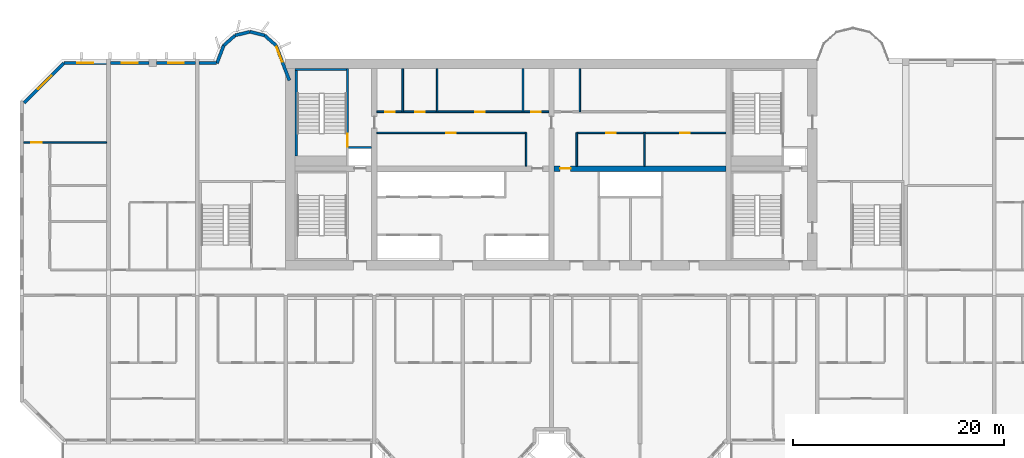
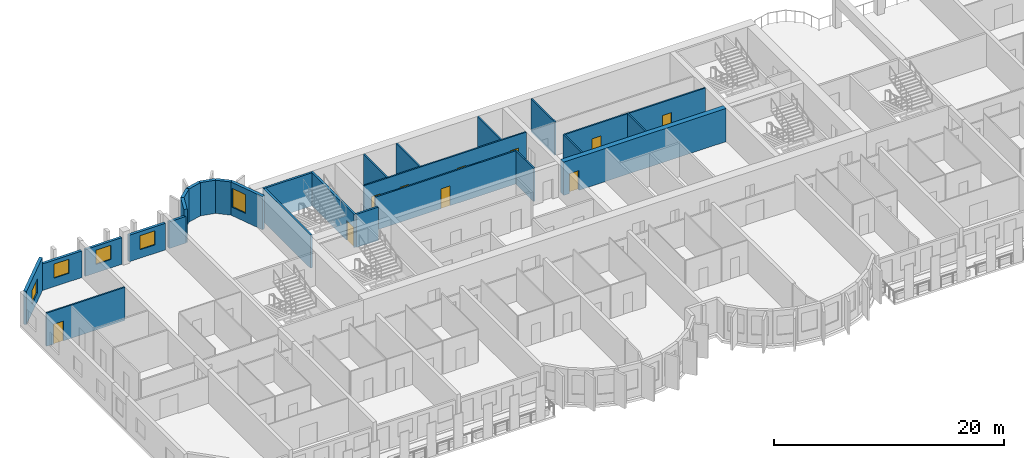
# One storey, part 7 of 14: 27 walls, 10 doors, 5 windows, 15 openings.
"""IFC4 building model written with IfcOpenShell, lengths in metres."""

from ifc_helpers import new_model, si_unit, direction, frame, frame_2d, origin, place, context, subcontext, project, spatial, rectangle, extrude, source, transform, mapped, material, layer, layer_set, type_object, element, fill, save


model = new_model("IFC4")

# Units and contexts
model_context = context("Model", 3, precision=1e-05, world=origin(), true_north=direction((0.0, 1.0)))
body_context = subcontext(model_context, "Body", "Model", "MODEL_VIEW")
ifc_project = project(units=[si_unit("LENGTHUNIT", "METRE"), si_unit("AREAUNIT", "SQUARE_METRE"), si_unit("VOLUMEUNIT", "CUBIC_METRE"), si_unit("PLANEANGLEUNIT", "RADIAN"), si_unit("MASSUNIT", "GRAM", prefix="KILO")], contexts=[model_context])

# Site, building, storey
site_placement = place(None, origin())
site = spatial("IfcSite", under=ifc_project, at=site_placement, CompositionType="ELEMENT")
building_placement = place(site_placement, origin())
building = spatial("IfcBuilding", under=site, at=building_placement, Name="Vanashikhar Sky Hotel", CompositionType="ELEMENT")
storey_placement = place(building_placement, frame((0.0, 0.0, 121.800048828125)))
storey = spatial("IfcBuildingStorey", under=building, at=storey_placement, Name="L29", CompositionType="ELEMENT", Elevation=121.800048828125)

# Wall, opening, door
ifc_material_1 = material(Name="Concrete M70", Category="concrete")
ifc_layer_1 = layer(ifc_material_1, 0.5)
ifc_layer_set_1 = layer_set([ifc_layer_1], Name="RC core inner wall 500 Concrete M70")
wall_type_1 = type_object("IfcWallType", Name="RC core inner wall 500 Concrete M70", PredefinedType="SHEAR", material=ifc_layer_set_1)
shared_shape_1 = source(origin(), body_context, "Body", "SweptSolid", [
    extrude(rectangle(XDim=16.300048828125, YDim=0.5, at=frame_2d((8.14990234375, 0.0))), origin(), (0.0, 0.0, 1.0), 3.52001953125),
])
wall_1_placement = place(storey_placement, frame((50.64990234375, 31.60009765625, 0.0), z_axis=(0.0, 0.0, 1.0), x_axis=(1.0, 0.0, 0.0)))
wall_1 = element("IfcWall", 1, at=wall_1_placement, inside=storey, type_object=wall_type_1, Name="KW-L29-KY3", PredefinedType="SHEAR", context=body_context, shape_type="MappedRepresentation", body=[
    mapped(shared_shape_1, transform((0.0, 0.0, 0.0), scale=1.0)),
])
shared_shape_2 = source(origin(), body_context, "Body", "SweptSolid", [
    extrude(rectangle(XDim=1.0, YDim=2.10009765625, at=frame_2d((0.5, 1.050048828125))), frame((0.0, 0.260009765625, 0.0), z_axis=(0.0, -1.0, 0.0), x_axis=(1.0, 0.0, 0.0)), (0.0, 0.0, 1.0), 0.52001953125),
])
opening_1_placement = place(wall_1_placement, frame((0.574951171875, 0.0, 0.0)))
opening_1 = element("IfcOpeningElement", 2, at=opening_1_placement, cuts=wall_1, Name="Opening DC-4", PredefinedType="OPENING", context=body_context, shape_type="MappedRepresentation", body=[
    mapped(shared_shape_2, transform((0.0, 0.0, 0.0), scale=1.0)),
])
ifc_material_2 = material(Name="Steel", Category="steel")
door_type_1 = type_object("IfcDoorType", Name="Service door 1000 FD60", OperationType="NOTDEFINED", PredefinedType="DOOR", material=ifc_material_2)
shared_shape_3 = source(origin(), body_context, "Body", "SweptSolid", [
    extrude(rectangle(XDim=1.0, YDim=2.10009765625, at=frame_2d((0.5, 1.050048828125))), frame((0.0, 0.02490234375, 0.0), z_axis=(0.0, -1.0, 0.0), x_axis=(1.0, 0.0, 0.0)), (0.0, 0.0, 1.0), 0.050048828125),
])
door_1_placement = place(opening_1_placement, origin())
door_1 = element("IfcDoor", 3, at=door_1_placement, inside=storey, type_object=door_type_1, Name="Service door 1000 FD60", OperationType="SINGLE_SWING_RIGHT", OverallHeight=2.10009765625, OverallWidth=1.0, PredefinedType="DOOR", context=body_context, shape_type="MappedRepresentation", body=[
    mapped(shared_shape_3, transform((0.0, 0.0, 0.0), scale=1.0)),
])
fill(opening_1, door_1)

# Wall, opening, window
ifc_material_3 = material(Name="Concrete M50", Category="concrete")
ifc_layer_2 = layer(ifc_material_3, 0.300048828125)
ifc_layer_set_2 = layer_set([ifc_layer_2], Name="Lobe wall 300")
wall_type_2 = type_object("IfcWallType", Name="Lobe wall 300", PredefinedType="SOLIDWALL", material=ifc_layer_set_2)
shared_shape_4 = source(origin(), body_context, "Body", "SweptSolid", [
    extrude(rectangle(XDim=5.32568359375, YDim=0.300048828125, at=frame_2d((2.662841796875, 0.0))), origin(), (0.0, 0.0, 1.0), 3.52001953125),
])
wall_2_placement = place(storey_placement, frame((4.165771484375, 41.60009765625, 0.0), z_axis=(0.0, 0.0, 1.0), x_axis=(-0.707106781187, -0.707106781187, 0.0)))
wall_2 = element("IfcWall", 4, at=wall_2_placement, inside=storey, type_object=wall_type_2, Name="Corner wall", PredefinedType="SOLIDWALL", context=body_context, shape_type="MappedRepresentation", body=[
    mapped(shared_shape_4, transform((0.0, 0.0, 0.0), scale=1.0)),
])
shared_shape_5 = source(origin(), body_context, "Body", "SweptSolid", [
    extrude(rectangle(XDim=1.800048828125, YDim=1.5, at=frame_2d((0.89990234375, 0.75))), frame((0.0, 0.16015625, 0.0), z_axis=(0.0, -1.0, 0.0), x_axis=(1.0, 0.0, 0.0)), (0.0, 0.0, 1.0), 0.320068359375),
])
opening_2_placement = place(wall_2_placement, frame((1.671875, 0.0, 0.89990234375)))
opening_2 = element("IfcOpeningElement", 5, at=opening_2_placement, cuts=wall_2, Name="Opening WN-4", PredefinedType="OPENING", context=body_context, shape_type="MappedRepresentation", body=[
    mapped(shared_shape_5, transform((0.0, 0.0, 0.0), scale=1.0)),
])
ifc_material_4 = material(Name="Glass", Category="glass")
window_type_1 = type_object("IfcWindowType", Name="Corner window 1800 x 1500", PartitioningType="SINGLE_PANEL", PredefinedType="WINDOW", material=ifc_material_4)
shared_shape_6 = source(origin(), body_context, "Body", "SweptSolid", [
    extrude(rectangle(XDim=1.800048828125, YDim=1.5, at=frame_2d((0.89990234375, 0.75))), frame((0.0, 0.030029296875, 0.0), z_axis=(0.0, -1.0, 0.0), x_axis=(1.0, 0.0, 0.0)), (0.0, 0.0, 1.0), 0.06005859375),
])
window_1_placement = place(opening_2_placement, origin())
window_1 = element("IfcWindow", 6, at=window_1_placement, inside=storey, type_object=window_type_1, Name="Window WN-4", OverallHeight=1.5, OverallWidth=1.800048828125, PartitioningType="SINGLE_PANEL", PredefinedType="WINDOW", context=body_context, shape_type="MappedRepresentation", body=[
    mapped(shared_shape_6, transform((0.0, 0.0, 0.0), scale=1.0)),
])
fill(opening_2, window_1)

shared_shape_7 = source(origin(), body_context, "Body", "SweptSolid", [
    extrude(rectangle(XDim=3.55908203125, YDim=0.300048828125, at=frame_2d((1.779541015625, 0.0))), origin(), (0.0, 0.0, 1.0), 3.52001953125),
])
wall_3_placement = place(storey_placement, frame((25.550048828125, 39.968505859375, 0.0), z_axis=(0.0, 0.0, 1.0), x_axis=(-0.35779745313, 0.933799219604, 0.0)))
wall_3 = element("IfcWall", 7, at=wall_3_placement, inside=storey, type_object=wall_type_2, Name="Lobe wall", PredefinedType="SOLIDWALL", context=body_context, shape_type="MappedRepresentation", body=[
    mapped(shared_shape_7, transform((0.0, 0.0, 0.0), scale=1.0)),
])
shared_shape_8 = source(origin(), body_context, "Body", "SweptSolid", [
    extrude(rectangle(XDim=1.5, YDim=2.0, at=frame_2d((0.75, 1.0))), frame((0.0, 0.16015625, 0.0), z_axis=(0.0, -1.0, 0.0), x_axis=(1.0, 0.0, 0.0)), (0.0, 0.0, 1.0), 0.320068359375),
])
opening_3_placement = place(wall_3_placement, frame((1.9033203125, 0.0, 0.89990234375)))
opening_3 = element("IfcOpeningElement", 8, at=opening_3_placement, cuts=wall_3, Name="Opening WN-2", PredefinedType="OPENING", context=body_context, shape_type="MappedRepresentation", body=[
    mapped(shared_shape_8, transform((0.0, 0.0, 0.0), scale=1.0)),
])
window_type_2 = type_object("IfcWindowType", Name="Lobe window 1500 x 2000", PartitioningType="SINGLE_PANEL", PredefinedType="WINDOW", material=ifc_material_4)
shared_shape_9 = source(origin(), body_context, "Body", "SweptSolid", [
    extrude(rectangle(XDim=1.5, YDim=2.0, at=frame_2d((0.75, 1.0))), frame((0.0, 0.030029296875, 0.0), z_axis=(0.0, -1.0, 0.0), x_axis=(1.0, 0.0, 0.0)), (0.0, 0.0, 1.0), 0.06005859375),
])
window_2_placement = place(opening_3_placement, origin())
window_2 = element("IfcWindow", 9, at=window_2_placement, inside=storey, type_object=window_type_2, Name="Window WN-2", OverallHeight=2.0, OverallWidth=1.5, PartitioningType="SINGLE_PANEL", PredefinedType="WINDOW", context=body_context, shape_type="MappedRepresentation", body=[
    mapped(shared_shape_9, transform((0.0, 0.0, 0.0), scale=1.0)),
])
fill(opening_3, window_2)

# Walls
shared_shape_10 = source(origin(), body_context, "Body", "SweptSolid", [
    extrude(rectangle(XDim=1.440185546875, YDim=0.300048828125, at=frame_2d((0.72021484375, 0.0))), origin(), (0.0, 0.0, 1.0), 3.52001953125),
])
wall_4_placement = place(storey_placement, frame((24.276611328125, 43.2919921875, 0.0), z_axis=(0.0, 0.0, 1.0), x_axis=(-0.749649827867, 0.661834673902, 0.0)))
element("IfcWall", 10, at=wall_4_placement, inside=storey, type_object=wall_type_2, Name="Lobe wall", PredefinedType="SOLIDWALL", context=body_context, shape_type="MappedRepresentation", body=[
    mapped(shared_shape_10, transform((0.0, 0.0, 0.0), scale=1.0)),
])
shared_shape_11 = source(origin(), body_context, "Body", "SweptSolid", [
    extrude(rectangle(XDim=1.4384765625, YDim=0.300048828125, at=frame_2d((0.71923828125, 0.0))), origin(), (0.0, 0.0, 1.0), 3.52001953125),
])
wall_5_placement = place(storey_placement, frame((23.197021484375, 44.2451171875, 0.0), z_axis=(0.0, 0.0, 1.0), x_axis=(-0.971152283879, 0.238460146601, 0.0)))
element("IfcWall", 11, at=wall_5_placement, inside=storey, type_object=wall_type_2, Name="Lobe wall", PredefinedType="SOLIDWALL", context=body_context, shape_type="MappedRepresentation", body=[
    mapped(shared_shape_11, transform((0.0, 0.0, 0.0), scale=1.0)),
])
shared_shape_12 = source(origin(), body_context, "Body", "SweptSolid", [
    extrude(rectangle(XDim=1.438720703125, YDim=0.300048828125, at=frame_2d((0.71923828125, 0.0))), origin(), (0.0, 0.0, 1.0), 3.52001953125),
])
wall_6_placement = place(storey_placement, frame((21.800048828125, 44.588134765625, 0.0), z_axis=(0.0, 0.0, 1.0), x_axis=(-0.971161932466, -0.238420848351, 0.0)))
element("IfcWall", 12, at=wall_6_placement, inside=storey, type_object=wall_type_2, Name="Lobe wall", PredefinedType="SOLIDWALL", context=body_context, shape_type="MappedRepresentation", body=[
    mapped(shared_shape_12, transform((0.0, 0.0, 0.0), scale=1.0)),
])
shared_shape_13 = source(origin(), body_context, "Body", "SweptSolid", [
    extrude(rectangle(XDim=1.43994140625, YDim=0.300048828125, at=frame_2d((0.719970703125, 0.0))), origin(), (0.0, 0.0, 1.0), 3.52001953125),
])
wall_7_placement = place(storey_placement, frame((20.40283203125, 44.2451171875, 0.0), z_axis=(0.0, 0.0, 1.0), x_axis=(-0.74957555648, -0.661918790432, 0.0)))
element("IfcWall", 13, at=wall_7_placement, inside=storey, type_object=wall_type_2, Name="Lobe wall", PredefinedType="SOLIDWALL", context=body_context, shape_type="MappedRepresentation", body=[
    mapped(shared_shape_13, transform((0.0, 0.0, 0.0), scale=1.0)),
])
shared_shape_14 = source(origin(), body_context, "Body", "SweptSolid", [
    extrude(rectangle(XDim=1.81201171875, YDim=0.300048828125, at=frame_2d((0.906005859375, 0.0))), origin(), (0.0, 0.0, 1.0), 3.52001953125),
])
wall_8_placement = place(storey_placement, frame((19.323486328125, 43.2919921875, 0.0), z_axis=(0.0, 0.0, 1.0), x_axis=(-0.357877270961, -0.93376863244, 0.0)))
element("IfcWall", 14, at=wall_8_placement, inside=storey, type_object=wall_type_2, Name="Lobe wall", PredefinedType="SOLIDWALL", context=body_context, shape_type="MappedRepresentation", body=[
    mapped(shared_shape_14, transform((0.0, 0.0, 0.0), scale=1.0)),
])

# Wall, opening, window
ifc_layer_3 = layer(ifc_material_3, 0.25)
ifc_layer_set_3 = layer_set([ifc_layer_3], Name="Rear and end board-marked wall 250")
wall_type_3 = type_object("IfcWallType", Name="Rear and end board-marked wall 250", PredefinedType="SOLIDWALL", material=ifc_layer_set_3)
shared_shape_15 = source(origin(), body_context, "Body", "SweptSolid", [
    extrude(rectangle(XDim=4.06982421875, YDim=0.25, at=frame_2d((2.034912109375, 0.0))), origin(), (0.0, 0.0, 1.0), 2.820068359375),
])
wall_9_placement = place(storey_placement, frame((8.22509765625, 41.625, 0.0), z_axis=(0.0, 0.0, 1.0), x_axis=(-1.0, 0.0, 0.0)))
wall_9 = element("IfcWall", 15, at=wall_9_placement, inside=storey, type_object=wall_type_3, Name="Rear board-marked wall", PredefinedType="SOLIDWALL", context=body_context, shape_type="MappedRepresentation", body=[
    mapped(shared_shape_15, transform((0.0, 0.0, 0.0), scale=1.0)),
])
shared_shape_16 = source(origin(), body_context, "Body", "SweptSolid", [
    extrude(rectangle(XDim=1.5, YDim=1.5, at=frame_2d((0.75, 0.75))), frame((0.0, 0.135009765625, 0.0), z_axis=(0.0, -1.0, 0.0), x_axis=(1.0, 0.0, 0.0)), (0.0, 0.0, 1.0), 0.27001953125),
])
opening_4_placement = place(wall_9_placement, frame((1.284912109375, 0.0, 0.89990234375)))
opening_4 = element("IfcOpeningElement", 16, at=opening_4_placement, cuts=wall_9, Name="Opening WN-1", PredefinedType="OPENING", context=body_context, shape_type="MappedRepresentation", body=[
    mapped(shared_shape_16, transform((0.0, 0.0, 0.0), scale=1.0)),
])
window_type_3 = type_object("IfcWindowType", Name="Window 1500 x 1500", PartitioningType="SINGLE_PANEL", PredefinedType="WINDOW", material=ifc_material_4)
shared_shape_17 = source(origin(), body_context, "Body", "SweptSolid", [
    extrude(rectangle(XDim=1.5, YDim=1.5, at=frame_2d((0.75, 0.75))), frame((0.0, 0.030029296875, 0.0), z_axis=(0.0, -1.0, 0.0), x_axis=(1.0, 0.0, 0.0)), (0.0, 0.0, 1.0), 0.06005859375),
])
window_3_placement = place(opening_4_placement, origin())
window_3 = element("IfcWindow", 17, at=window_3_placement, inside=storey, type_object=window_type_3, Name="Window WN-1", OverallHeight=1.5, OverallWidth=1.5, PartitioningType="SINGLE_PANEL", PredefinedType="WINDOW", context=body_context, shape_type="MappedRepresentation", body=[
    mapped(shared_shape_17, transform((0.0, 0.0, 0.0), scale=1.0)),
])
fill(opening_4, window_3)

shared_shape_18 = source(origin(), body_context, "Body", "SweptSolid", [
    extrude(rectangle(XDim=3.675048828125, YDim=0.25, at=frame_2d((1.83740234375, 0.0))), origin(), (0.0, 0.0, 1.0), 2.820068359375),
])
wall_10_placement = place(storey_placement, frame((12.25, 41.625, 0.0), z_axis=(0.0, 0.0, 1.0), x_axis=(-1.0, 0.0, 0.0)))
wall_10 = element("IfcWall", 18, at=wall_10_placement, inside=storey, type_object=wall_type_3, Name="Rear board-marked wall", PredefinedType="SOLIDWALL", context=body_context, shape_type="MappedRepresentation", body=[
    mapped(shared_shape_18, transform((0.0, 0.0, 0.0), scale=1.0)),
])
opening_5_placement = place(wall_10_placement, frame((1.08740234375, 0.0, 0.89990234375)))
opening_5 = element("IfcOpeningElement", 19, at=opening_5_placement, cuts=wall_10, Name="Opening WN-1", PredefinedType="OPENING", context=body_context, shape_type="MappedRepresentation", body=[
    mapped(shared_shape_16, transform((0.0, 0.0, 0.0), scale=1.0)),
])
window_4_placement = place(opening_5_placement, origin())
window_4 = element("IfcWindow", 20, at=window_4_placement, inside=storey, type_object=window_type_3, Name="Window WN-1", OverallHeight=1.5, OverallWidth=1.5, PartitioningType="SINGLE_PANEL", PredefinedType="WINDOW", context=body_context, shape_type="MappedRepresentation", body=[
    mapped(shared_shape_17, transform((0.0, 0.0, 0.0), scale=1.0)),
])
fill(opening_5, window_4)

wall_11_placement = place(storey_placement, frame((16.625, 41.625, 0.0), z_axis=(0.0, 0.0, 1.0), x_axis=(-1.0, 0.0, 0.0)))
wall_11 = element("IfcWall", 21, at=wall_11_placement, inside=storey, type_object=wall_type_3, Name="Rear board-marked wall", PredefinedType="SOLIDWALL", context=body_context, shape_type="MappedRepresentation", body=[
    mapped(shared_shape_18, transform((0.0, 0.0, 0.0), scale=1.0)),
])
opening_6_placement = place(wall_11_placement, frame((1.08740234375, 0.0, 0.89990234375)))
opening_6 = element("IfcOpeningElement", 22, at=opening_6_placement, cuts=wall_11, Name="Opening WN-1", PredefinedType="OPENING", context=body_context, shape_type="MappedRepresentation", body=[
    mapped(shared_shape_16, transform((0.0, 0.0, 0.0), scale=1.0)),
])
window_5_placement = place(opening_6_placement, origin())
window_5 = element("IfcWindow", 23, at=window_5_placement, inside=storey, type_object=window_type_3, Name="Window WN-1", OverallHeight=1.5, OverallWidth=1.5, PartitioningType="SINGLE_PANEL", PredefinedType="WINDOW", context=body_context, shape_type="MappedRepresentation", body=[
    mapped(shared_shape_17, transform((0.0, 0.0, 0.0), scale=1.0)),
])
fill(opening_6, window_5)

# Walls
shared_shape_19 = source(origin(), body_context, "Body", "SweptSolid", [
    extrude(rectangle(XDim=1.682861328125, YDim=0.25, at=frame_2d((0.84130859375, 0.0))), origin(), (0.0, 0.0, 1.0), 2.820068359375),
])
wall_12_placement = place(storey_placement, frame((18.657958984375, 41.625, 0.0), z_axis=(0.0, 0.0, 1.0), x_axis=(-1.0, 0.0, 0.0)))
element("IfcWall", 24, at=wall_12_placement, inside=storey, type_object=wall_type_3, Name="Rear board-marked wall", PredefinedType="SOLIDWALL", context=body_context, shape_type="MappedRepresentation", body=[
    mapped(shared_shape_19, transform((0.0, 0.0, 0.0), scale=1.0)),
])
ifc_material_5 = material(Name="Gypsum board partition")
ifc_layer_4 = layer(ifc_material_5, 0.14990234375)
ifc_layer_set_4 = layer_set([ifc_layer_4], Name="Service partition 150")
wall_type_4 = type_object("IfcWallType", Name="Service partition 150", PredefinedType="PARTITIONING", material=ifc_layer_set_4)
shared_shape_20 = source(origin(), body_context, "Body", "SweptSolid", [
    extrude(rectangle(XDim=3.14990234375, YDim=0.14990234375, at=frame_2d((1.574951171875, 0.0))), origin(), (0.0, 0.0, 1.0), 3.52001953125),
])
for number, where, z_axis, x_axis, name in (
    (25, (48.0, 31.85009765625, 0.0), (0.0, 0.0, 1.0), (0.0, 1.0, 0.0), "Service partition 150"),
    (26, (52.800048828125, 31.85009765625, 0.0), (0.0, 0.0, 1.0), (0.0, 1.0, 0.0), "Service partition 150"),
    (27, (59.208984375, 31.85009765625, 0.0), (0.0, 0.0, 1.0), (0.0, 1.0, 0.0), "Service partition 150"),
):
    element("IfcWall", number, at=place(storey_placement, frame(where, z_axis=z_axis, x_axis=x_axis)), inside=storey, type_object=wall_type_4, Name=name, PredefinedType="PARTITIONING", context=body_context, shape_type="MappedRepresentation", body=[
        mapped(shared_shape_20, transform((0.0, 0.0, 0.0), scale=1.0)),
    ])

# Wall, opening, door
shared_shape_21 = source(origin(), body_context, "Body", "SweptSolid", [
    extrude(rectangle(XDim=14.14990234375, YDim=0.14990234375, at=frame_2d((7.074951171875, 0.0))), origin(), (0.0, 0.0, 1.0), 3.52001953125),
])
wall_13_placement = place(storey_placement, frame((33.85009765625, 35.0, 0.0), z_axis=(0.0, 0.0, 1.0), x_axis=(1.0, 0.0, 0.0)))
wall_13 = element("IfcWall", 28, at=wall_13_placement, inside=storey, type_object=wall_type_4, Name="Service partition 150", PredefinedType="PARTITIONING", context=body_context, shape_type="MappedRepresentation", body=[
    mapped(shared_shape_21, transform((0.0, 0.0, 0.0), scale=1.0)),
])
shared_shape_22 = source(origin(), body_context, "Body", "SweptSolid", [
    extrude(rectangle(XDim=0.89990234375, YDim=2.10009765625, at=frame_2d((0.449951171875, 1.050048828125))), frame((0.0, 0.0849609375, 0.0), z_axis=(0.0, -1.0, 0.0), x_axis=(1.0, 0.0, 0.0)), (0.0, 0.0, 1.0), 0.169921875),
])
opening_7_placement = place(wall_13_placement, frame((6.587890625, 0.0, 0.0)))
opening_7 = element("IfcOpeningElement", 29, at=opening_7_placement, cuts=wall_13, Name="Opening DC-4-A", PredefinedType="OPENING", context=body_context, shape_type="MappedRepresentation", body=[
    mapped(shared_shape_22, transform((0.0, 0.0, 0.0), scale=1.0)),
])
door_type_2 = type_object("IfcDoorType", Name="Service door 900 FD60", OperationType="NOTDEFINED", PredefinedType="DOOR", material=ifc_material_2)
shared_shape_23 = source(origin(), body_context, "Body", "SweptSolid", [
    extrude(rectangle(XDim=0.89990234375, YDim=2.10009765625, at=frame_2d((0.449951171875, 1.050048828125))), frame((0.0, 0.02490234375, 0.0), z_axis=(0.0, -1.0, 0.0), x_axis=(1.0, 0.0, 0.0)), (0.0, 0.0, 1.0), 0.050048828125),
])
door_2_placement = place(opening_7_placement, origin())
door_2 = element("IfcDoor", 30, at=door_2_placement, inside=storey, type_object=door_type_2, Name="Service door 900 FD60", OperationType="SINGLE_SWING_RIGHT", OverallHeight=2.10009765625, OverallWidth=0.89990234375, PredefinedType="DOOR", context=body_context, shape_type="MappedRepresentation", body=[
    mapped(shared_shape_23, transform((0.0, 0.0, 0.0), scale=1.0)),
])
fill(opening_7, door_2)

# Wall, openings, doors
wall_14_placement = place(storey_placement, frame((66.949951171875, 35.0, 0.0), z_axis=(0.0, 0.0, 1.0), x_axis=(-1.0, 0.0, 0.0)))
wall_14 = element("IfcWall", 31, at=wall_14_placement, inside=storey, type_object=wall_type_4, Name="Service partition 150", PredefinedType="PARTITIONING", context=body_context, shape_type="MappedRepresentation", body=[
    mapped(shared_shape_21, transform((0.0, 0.0, 0.0), scale=1.0)),
])
opening_8_placement = place(wall_14_placement, frame((3.4208984375, 0.0, 0.0)))
opening_8 = element("IfcOpeningElement", 32, at=opening_8_placement, cuts=wall_14, Name="Opening DC-4-A", PredefinedType="OPENING", context=body_context, shape_type="MappedRepresentation", body=[
    mapped(shared_shape_22, transform((0.0, 0.0, 0.0), scale=1.0)),
])
opening_9_placement = place(wall_14_placement, frame((10.4580078125, 0.0, 0.0)))
opening_9 = element("IfcOpeningElement", 33, at=opening_9_placement, cuts=wall_14, Name="Opening DC-4-A", PredefinedType="OPENING", context=body_context, shape_type="MappedRepresentation", body=[
    mapped(shared_shape_22, transform((0.0, 0.0, 0.0), scale=1.0)),
])
door_3_placement = place(opening_8_placement, origin())
door_3 = element("IfcDoor", 34, at=door_3_placement, inside=storey, type_object=door_type_2, Name="Service door 900 FD60", OperationType="SINGLE_SWING_RIGHT", OverallHeight=2.10009765625, OverallWidth=0.89990234375, PredefinedType="DOOR", context=body_context, shape_type="MappedRepresentation", body=[
    mapped(shared_shape_23, transform((0.0, 0.0, 0.0), scale=1.0)),
])
fill(opening_8, door_3)
door_4_placement = place(opening_9_placement, origin())
door_4 = element("IfcDoor", 35, at=door_4_placement, inside=storey, type_object=door_type_2, Name="Service door 900 FD60", OperationType="SINGLE_SWING_RIGHT", OverallHeight=2.10009765625, OverallWidth=0.89990234375, PredefinedType="DOOR", context=body_context, shape_type="MappedRepresentation", body=[
    mapped(shared_shape_23, transform((0.0, 0.0, 0.0), scale=1.0)),
])
fill(opening_9, door_4)

shared_shape_24 = source(origin(), body_context, "Body", "SweptSolid", [
    extrude(rectangle(XDim=16.2998046875, YDim=0.14990234375, at=frame_2d((8.14990234375, 0.0))), origin(), (0.0, 0.0, 1.0), 3.52001953125),
])
wall_15_placement = place(storey_placement, frame((33.85009765625, 37.0, 0.0), z_axis=(0.0, 0.0, 1.0), x_axis=(1.0, 0.0, 0.0)))
wall_15 = element("IfcWall", 36, at=wall_15_placement, inside=storey, type_object=wall_type_4, Name="Service partition 150", PredefinedType="PARTITIONING", context=body_context, shape_type="MappedRepresentation", body=[
    mapped(shared_shape_24, transform((0.0, 0.0, 0.0), scale=1.0)),
])
opening_10_placement = place(wall_15_placement, frame((0.77294921875, 0.0, 0.0)))
opening_10 = element("IfcOpeningElement", 37, at=opening_10_placement, cuts=wall_15, Name="Opening DC-4-A", PredefinedType="OPENING", context=body_context, shape_type="MappedRepresentation", body=[
    mapped(shared_shape_22, transform((0.0, 0.0, 0.0), scale=1.0)),
])
opening_11_placement = place(wall_15_placement, frame((3.625, 0.0, 0.0)))
opening_11 = element("IfcOpeningElement", 38, at=opening_11_placement, cuts=wall_15, Name="Opening DC-4-A", PredefinedType="OPENING", context=body_context, shape_type="MappedRepresentation", body=[
    mapped(shared_shape_22, transform((0.0, 0.0, 0.0), scale=1.0)),
])
opening_12_placement = place(wall_15_placement, frame((9.330078125, 0.0, 0.0)))
opening_12 = element("IfcOpeningElement", 39, at=opening_12_placement, cuts=wall_15, Name="Opening DC-4-A", PredefinedType="OPENING", context=body_context, shape_type="MappedRepresentation", body=[
    mapped(shared_shape_22, transform((0.0, 0.0, 0.0), scale=1.0)),
])
opening_13_placement = place(wall_15_placement, frame((14.626953125, 0.0, 0.0)))
opening_13 = element("IfcOpeningElement", 40, at=opening_13_placement, cuts=wall_15, Name="Opening DC-4-A", PredefinedType="OPENING", context=body_context, shape_type="MappedRepresentation", body=[
    mapped(shared_shape_22, transform((0.0, 0.0, 0.0), scale=1.0)),
])
door_5_placement = place(opening_10_placement, origin())
door_5 = element("IfcDoor", 41, at=door_5_placement, inside=storey, type_object=door_type_2, Name="Service door 900 FD60", OperationType="SINGLE_SWING_LEFT", OverallHeight=2.10009765625, OverallWidth=0.89990234375, PredefinedType="DOOR", context=body_context, shape_type="MappedRepresentation", body=[
    mapped(shared_shape_23, transform((0.0, 0.0, 0.0), scale=1.0)),
])
fill(opening_10, door_5)
door_6_placement = place(opening_11_placement, origin())
door_6 = element("IfcDoor", 42, at=door_6_placement, inside=storey, type_object=door_type_2, Name="Service door 900 FD60", OperationType="SINGLE_SWING_RIGHT", OverallHeight=2.10009765625, OverallWidth=0.89990234375, PredefinedType="DOOR", context=body_context, shape_type="MappedRepresentation", body=[
    mapped(shared_shape_23, transform((0.0, 0.0, 0.0), scale=1.0)),
])
fill(opening_11, door_6)
door_7_placement = place(opening_12_placement, origin())
door_7 = element("IfcDoor", 43, at=door_7_placement, inside=storey, type_object=door_type_2, Name="Service door 900 FD60", OperationType="SINGLE_SWING_RIGHT", OverallHeight=2.10009765625, OverallWidth=0.89990234375, PredefinedType="DOOR", context=body_context, shape_type="MappedRepresentation", body=[
    mapped(shared_shape_23, transform((0.0, 0.0, 0.0), scale=1.0)),
])
fill(opening_12, door_7)
door_8_placement = place(opening_13_placement, origin())
door_8 = element("IfcDoor", 44, at=door_8_placement, inside=storey, type_object=door_type_2, Name="Service door 900 FD60", OperationType="SINGLE_SWING_RIGHT", OverallHeight=2.10009765625, OverallWidth=0.89990234375, PredefinedType="DOOR", context=body_context, shape_type="MappedRepresentation", body=[
    mapped(shared_shape_23, transform((0.0, 0.0, 0.0), scale=1.0)),
])
fill(opening_13, door_8)

# Walls
shared_shape_25 = source(origin(), body_context, "Body", "SweptSolid", [
    extrude(rectangle(XDim=4.10009765625, YDim=0.14990234375, at=frame_2d((2.050048828125, 0.0))), origin(), (0.0, 0.0, 1.0), 3.52001953125),
])
for number, where, z_axis, x_axis, name in (
    (45, (36.294921875, 37.0, 0.0), (0.0, 0.0, 1.0), (0.0, 1.0, 0.0), "Service partition 150"),
    (46, (39.554931640625, 37.0, 0.0), (0.0, 0.0, 1.0), (0.0, 1.0, 0.0), "Service partition 150"),
    (47, (47.705078125, 37.0, 0.0), (0.0, 0.0, 1.0), (0.0, 1.0, 0.0), "Service partition 150"),
    (48, (53.094970703125, 37.0, 0.0), (0.0, 0.0, 1.0), (0.0, 1.0, 0.0), "Service partition 150"),
):
    element("IfcWall", number, at=place(storey_placement, frame(where, z_axis=z_axis, x_axis=x_axis)), inside=storey, type_object=wall_type_4, Name=name, PredefinedType="PARTITIONING", context=body_context, shape_type="MappedRepresentation", body=[
        mapped(shared_shape_25, transform((0.0, 0.0, 0.0), scale=1.0)),
    ])
ifc_material_6 = material(Name="Concrete M40", Category="concrete")
ifc_layer_5 = layer(ifc_material_6, 0.199951171875)
ifc_layer_set_5 = layer_set([ifc_layer_5], Name="Shaft wall 200")
wall_type_5 = type_object("IfcWallType", Name="Shaft wall 200", PredefinedType="SOLIDWALL", material=ifc_layer_set_5)
shared_shape_26 = source(origin(), body_context, "Body", "SweptSolid", [
    extrude(rectangle(XDim=2.2001953125, YDim=0.199951171875, at=frame_2d((1.10009765625, 0.0))), origin(), (0.0, 0.0, 1.0), 3.52001953125),
])
wall_16_placement = place(storey_placement, frame((31.14990234375, 33.60009765625, 0.0), z_axis=(0.0, 0.0, 1.0), x_axis=(1.0, 0.0, 0.0)))
element("IfcWall", 49, at=wall_16_placement, inside=storey, type_object=wall_type_5, Name="Shaft wall 200", PredefinedType="SOLIDWALL", context=body_context, shape_type="MappedRepresentation", body=[
    mapped(shared_shape_26, transform((0.0, 0.0, 0.0), scale=1.0)),
])

# Wall, opening, door
ifc_layer_6 = layer(ifc_material_3, 0.199951171875)
ifc_layer_set_6 = layer_set([ifc_layer_6], Name="Stair wall 200")
wall_type_6 = type_object("IfcWallType", Name="Stair wall 200", PredefinedType="SOLIDWALL", material=ifc_layer_set_6)
shared_shape_27 = source(origin(), body_context, "Body", "SweptSolid", [
    extrude(rectangle(XDim=7.5, YDim=0.199951171875, at=frame_2d((3.75, 0.0))), origin(), (0.0, 0.0, 1.0), 3.52001953125),
])
wall_17_placement = place(storey_placement, frame((31.050048828125, 33.60009765625, 0.0), z_axis=(0.0, 0.0, 1.0), x_axis=(0.0, 1.0, 0.0)))
wall_17 = element("IfcWall", 50, at=wall_17_placement, inside=storey, type_object=wall_type_6, Name="Stair wall 200", PredefinedType="SOLIDWALL", context=body_context, shape_type="MappedRepresentation", body=[
    mapped(shared_shape_27, transform((0.0, 0.0, 0.0), scale=1.0)),
])
shared_shape_28 = source(origin(), body_context, "Body", "SweptSolid", [
    extrude(rectangle(XDim=1.199951171875, YDim=2.10009765625, at=frame_2d((0.60009765625, 1.050048828125))), frame((0.0, 0.10986328125, 0.0), z_axis=(0.0, -1.0, 0.0), x_axis=(1.0, 0.0, 0.0)), (0.0, 0.0, 1.0), 0.219970703125),
])
opening_14_placement = place(wall_17_placement, frame((0.10009765625, 0.0, 0.0)))
opening_14 = element("IfcOpeningElement", 51, at=opening_14_placement, cuts=wall_17, Name="Opening DC-1", PredefinedType="OPENING", context=body_context, shape_type="MappedRepresentation", body=[
    mapped(shared_shape_28, transform((0.0, 0.0, 0.0), scale=1.0)),
])
door_type_3 = type_object("IfcDoorType", Name="Stair door 1200 FD120", OperationType="NOTDEFINED", PredefinedType="DOOR", material=ifc_material_2)
shared_shape_29 = source(origin(), body_context, "Body", "SweptSolid", [
    extrude(rectangle(XDim=1.199951171875, YDim=2.10009765625, at=frame_2d((0.60009765625, 1.050048828125))), frame((0.0, 0.02490234375, 0.0), z_axis=(0.0, -1.0, 0.0), x_axis=(1.0, 0.0, 0.0)), (0.0, 0.0, 1.0), 0.050048828125),
])
door_9_placement = place(opening_14_placement, origin())
door_9 = element("IfcDoor", 52, at=door_9_placement, inside=storey, type_object=door_type_3, Name="Stair door 1200 FD120", OperationType="SINGLE_SWING_LEFT", OverallHeight=2.10009765625, OverallWidth=1.199951171875, PredefinedType="DOOR", context=body_context, shape_type="MappedRepresentation", body=[
    mapped(shared_shape_29, transform((0.0, 0.0, 0.0), scale=1.0)),
])
fill(opening_14, door_9)

# Walls
ifc_layer_7 = layer(ifc_material_3, 0.199951171875)
ifc_layer_set_7 = layer_set([ifc_layer_7], Name="Stair infill wall 200")
wall_type_7 = type_object("IfcWallType", Name="Stair infill wall 200", PredefinedType="SOLIDWALL", material=ifc_layer_set_7)
shared_shape_30 = source(origin(), body_context, "Body", "SweptSolid", [
    extrude(rectangle(XDim=4.849853515625, YDim=0.199951171875, at=frame_2d((2.4248046875, 0.0))), origin(), (0.0, 0.0, 1.0), 3.52001953125),
])
wall_18_placement = place(storey_placement, frame((26.10009765625, 41.0, 0.0), z_axis=(0.0, 0.0, 1.0), x_axis=(1.0, 0.0, 0.0)))
element("IfcWall", 53, at=wall_18_placement, inside=storey, type_object=wall_type_7, Name="Stair infill wall 200", PredefinedType="SOLIDWALL", context=body_context, shape_type="MappedRepresentation", body=[
    mapped(shared_shape_30, transform((0.0, 0.0, 0.0), scale=1.0)),
])
shared_shape_31 = source(origin(), body_context, "Body", "SweptSolid", [
    extrude(rectangle(XDim=8.099853515625, YDim=0.199951171875, at=frame_2d((4.0498046875, 0.0))), origin(), (0.0, 0.0, 1.0), 3.52001953125),
])
wall_19_placement = place(storey_placement, frame((26.199951171875, 32.800048828125, 0.0), z_axis=(0.0, 0.0, 1.0), x_axis=(0.0, 1.0, 0.0)))
element("IfcWall", 54, at=wall_19_placement, inside=storey, type_object=wall_type_7, Name="Stair infill wall 200", PredefinedType="SOLIDWALL", context=body_context, shape_type="MappedRepresentation", body=[
    mapped(shared_shape_31, transform((0.0, 0.0, 0.0), scale=1.0)),
])

# Wall, opening, door
ifc_material_7 = material(Name="Gypsum plasterboard partition")
ifc_layer_8 = layer(ifc_material_7, 0.14990234375)
ifc_layer_set_8 = layer_set([ifc_layer_8], Name="Corridor and demising partition 150")
wall_type_8 = type_object("IfcWallType", Name="Corridor and demising partition 150", PredefinedType="PARTITIONING", material=ifc_layer_set_8)
shared_shape_32 = source(origin(), body_context, "Body", "SweptSolid", [
    extrude(rectangle(XDim=7.875, YDim=0.14990234375, at=frame_2d((3.9375, 0.0))), origin(), (0.0, 0.0, 1.0), 3.52001953125),
])
wall_20_placement = place(storey_placement, frame((0.35009765625, 34.074951171875, 0.0), z_axis=(0.0, 0.0, 1.0), x_axis=(1.0, 0.0, 0.0)))
wall_20 = element("IfcWall", 55, at=wall_20_placement, inside=storey, type_object=wall_type_8, Name="W-L29-PW065", PredefinedType="PARTITIONING", context=body_context, shape_type="MappedRepresentation", body=[
    mapped(shared_shape_32, transform((0.0, 0.0, 0.0), scale=1.0)),
])
shared_shape_33 = source(origin(), body_context, "Body", "SweptSolid", [
    extrude(rectangle(XDim=1.0, YDim=2.10009765625, at=frame_2d((0.5, 1.050048828125))), frame((0.0, 0.0849609375, 0.0), z_axis=(0.0, -1.0, 0.0), x_axis=(1.0, 0.0, 0.0)), (0.0, 0.0, 1.0), 0.169921875),
])
opening_15_placement = place(wall_20_placement, frame((0.699951171875, 0.0, 0.0)))
opening_15 = element("IfcOpeningElement", 56, at=opening_15_placement, cuts=wall_20, Name="Opening D-01", PredefinedType="OPENING", context=body_context, shape_type="MappedRepresentation", body=[
    mapped(shared_shape_33, transform((0.0, 0.0, 0.0), scale=1.0)),
])
ifc_material_8 = material(Name="Timber fire door", Category="wood")
door_type_4 = type_object("IfcDoorType", Name="Guest entry door 1000 FD30S", OperationType="NOTDEFINED", PredefinedType="DOOR", material=ifc_material_8)
door_10_placement = place(opening_15_placement, origin())
door_10 = element("IfcDoor", 57, at=door_10_placement, inside=storey, type_object=door_type_4, Name="D-L29-039", OperationType="SINGLE_SWING_LEFT", OverallHeight=2.10009765625, OverallWidth=1.0, PredefinedType="DOOR", context=body_context, shape_type="MappedRepresentation", body=[
    mapped(shared_shape_3, transform((0.0, 0.0, 0.0), scale=1.0)),
])
fill(opening_15, door_10)

save(model, "model.ifc")
